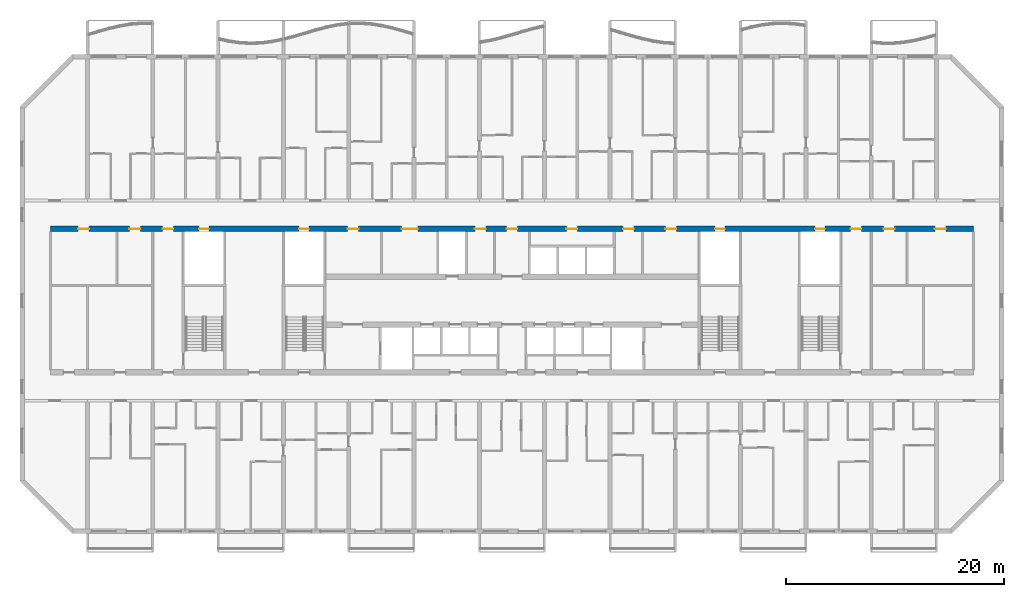
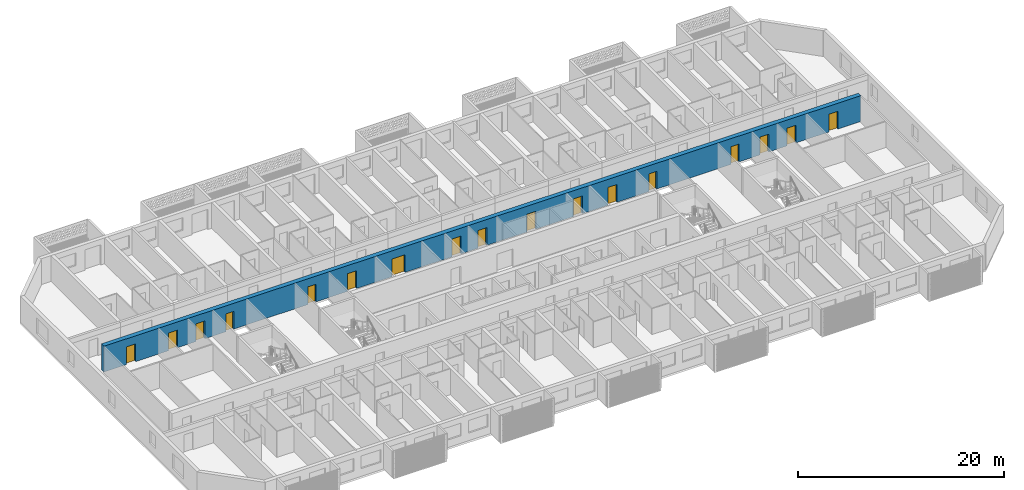
# One storey, part 8 of 25: 17 doors, 1 wall, 17 openings.
"""IFC4 building model written with IfcOpenShell, lengths in metres."""

import ifcopenshell
import ifcopenshell.guid

model = None  # the IFC model being written
_history = None  # IfcOwnerHistory: only IFC2X3 demands one
_inside = {}  # id of a spatial element -> (the spatial element, [elements in it])
_under = {}  # id of a project, library or spatial element -> (it, [spatial elements below it])
_declared = {}  # id of a project -> (the project, [libraries it declares])
_typed = {}  # id of a type object -> (the type object, [elements of that type])
_made_of = {}  # id of a material, layer set ... -> (it, [elements and type objects made of it])


def new_model(schema):
    """Start an empty IFC model of exactly this schema.

    Asked for "IFC4X3", IfcOpenShell would pick the latest addendum, in which some entities
    have other attributes; the version numbers below select the first issue.
    IFC2X3 requires an IfcOwnerHistory on every rooted entity: one is made here for all.
    """
    global model, _history
    if schema == "IFC4X3":
        model = ifcopenshell.file(schema_version=(4, 3, 0, 0))
    else:
        model = ifcopenshell.file(schema=schema)
    _inside.clear()
    _under.clear()
    _declared.clear()
    _typed.clear()
    _made_of.clear()
    _history = None
    if model.schema == "IFC2X3":
        org = make("IfcOrganization", Name="unknown")
        user = make(
            "IfcPersonAndOrganization",
            ThePerson=make("IfcPerson", FamilyName="unknown"),
            TheOrganization=org,
        )
        app = make(
            "IfcApplication",
            ApplicationDeveloper=org,
            Version="unknown",
            ApplicationFullName="unknown",
            ApplicationIdentifier="unknown",
        )
        _history = make(
            "IfcOwnerHistory",
            OwningUser=user,
            OwningApplication=app,
            ChangeAction="ADDED",
            CreationDate=0,
        )
    return model


def make(cls, **values):
    """One entity of the class cls with the attributes given. An attribute that is None is left unset."""
    return model.create_entity(
        cls, **{name: value for name, value in values.items() if value is not None}
    )


def rooted(cls, **values):
    """An entity with a GlobalId (a new one), such as an element, a storey or a relation."""
    return make(cls, GlobalId=ifcopenshell.guid.new(), OwnerHistory=_history, **values)


def si_unit(unit_type, name, prefix=None):
    """IfcSIUnit, for example si_unit("LENGTHUNIT", "METRE", prefix="MILLI")."""
    return make("IfcSIUnit", UnitType=unit_type, Prefix=prefix, Name=name)


def assignment(units):
    """IfcUnitAssignment: the units of a project."""
    return None if units is None else make("IfcUnitAssignment", Units=units)


def point(xyz):
    """IfcCartesianPoint."""
    return None if xyz is None else make("IfcCartesianPoint", Coordinates=xyz)


def direction(xyz):
    """IfcDirection."""
    return None if xyz is None else make("IfcDirection", DirectionRatios=xyz)


def frame(location, z_axis=None, x_axis=None):
    """IfcAxis2Placement3D, a coordinate frame: its origin and axes. An axis left out is left unset."""
    return make(
        "IfcAxis2Placement3D",
        Location=point(location),
        Axis=direction(z_axis),
        RefDirection=direction(x_axis),
    )


def frame_2d(location, x_axis=None):
    """IfcAxis2Placement2D, a coordinate frame in the plane: its origin and x axis."""
    return make(
        "IfcAxis2Placement2D", Location=point(location), RefDirection=direction(x_axis)
    )


def origin():
    """The frame at (0, 0, 0) with its axes left unset."""
    return frame((0.0, 0.0, 0.0))


def place(relative_to, where):
    """IfcLocalPlacement: puts the frame where relative to a parent placement (None: the world)."""
    return make(
        "IfcLocalPlacement", PlacementRelTo=relative_to, RelativePlacement=where
    )


def context(
    kind, dimensions, precision=None, world=None, true_north=None, identifier=None
):
    """IfcGeometricRepresentationContext, for example the 3D "Model" context."""
    return make(
        "IfcGeometricRepresentationContext",
        ContextIdentifier=identifier,
        ContextType=kind,
        CoordinateSpaceDimension=dimensions,
        Precision=precision,
        WorldCoordinateSystem=world,
        TrueNorth=true_north,
    )


def subcontext(parent, identifier, kind, view, scale=None):
    """IfcGeometricRepresentationSubContext, for example "Body" below "Model"."""
    return make(
        "IfcGeometricRepresentationSubContext",
        ContextIdentifier=identifier,
        ContextType=kind,
        ParentContext=parent,
        TargetScale=scale,
        TargetView=view,
    )


def project(units=None, contexts=None):
    """IfcProject with its units and contexts."""
    return rooted(
        "IfcProject",
        Name="project",
        RepresentationContexts=contexts,
        UnitsInContext=assignment(units),
    )


def spatial(cls, under=None, at=None, **own):
    """A site, building, storey or space (cls), placed at a placement, below another one or the project."""
    s = rooted(cls, ObjectPlacement=at, **own)
    if under is not None:
        _under.setdefault(under.id(), (under, []))[1].append(s)
    return s


def profile(cls, at=None, kind="AREA", **sizes):
    """A parametric profile (cls). Its sizes go by their IFC names, for example OverallWidth=200.0."""
    return make(cls, ProfileType=kind, Position=at, **sizes)


def rectangle(**sizes):
    """IfcRectangleProfileDef."""
    return profile("IfcRectangleProfileDef", **sizes)


def extrude(swept, where, along, depth):
    """IfcExtrudedAreaSolid: the profile swept, set in the frame where, extruded along a direction by depth."""
    return make(
        "IfcExtrudedAreaSolid",
        SweptArea=swept,
        Position=where,
        ExtrudedDirection=direction(along),
        Depth=depth,
    )


def shape(context_of_items, identifier, shape_type, items):
    """IfcShapeRepresentation: the items that make up one representation, for example the "Body"."""
    return make(
        "IfcShapeRepresentation",
        ContextOfItems=context_of_items,
        RepresentationIdentifier=identifier,
        RepresentationType=shape_type,
        Items=items,
    )


def material(Name=None, Category=None):
    """IfcMaterial."""
    return make("IfcMaterial", Name=Name, Category=Category)


def layer(
    of_material, thickness, ventilated=None, Name=None, Category=None, Priority=None
):
    """IfcMaterialLayer: one layer of a wall or slab, of a material (None: an air gap)."""
    return make(
        "IfcMaterialLayer",
        Material=of_material,
        LayerThickness=thickness,
        IsVentilated=ventilated,
        Name=Name,
        Category=Category,
        Priority=Priority,
    )


def layer_set(layers, Name=None):
    """IfcMaterialLayerSet."""
    return make("IfcMaterialLayerSet", MaterialLayers=layers, LayerSetName=Name)


def made_of(thing, what):
    """Note that an element or type object is made of a material, layer set ...; save() writes the relation."""
    if what is not None:
        _made_of.setdefault(what.id(), (what, []))[1].append(thing)
    return thing


def type_object(cls, material=None, **own):
    """A type object (cls), such as IfcWallType, which elements share."""
    return made_of(rooted(cls, **own), material)


def element(
    cls,
    number,
    at=None,
    inside=None,
    cuts=None,
    type_object=None,
    material=None,
    context=None,
    identifier="Body",
    shape_type=None,
    held_by="IfcProductDefinitionShape",
    body=None,
    shapes=None,
    **own,
):
    """One element of the class cls, such as IfcWall. Its Tag is "e" and its number.

    at: its placement. inside: the storey or other place that contains it. cuts: it is an
    opening in that element (IfcRelVoidsElement). A single representation is given by context,
    identifier, shape_type and body (its items); several are given by shapes. held_by: the class
    of the entity that holds the representations. save() writes the other relations.
    """
    e = rooted(cls, Tag="e%d" % number, ObjectPlacement=at, **own)
    if body is not None:
        shapes = [shape(context, identifier, shape_type, body)]
    if shapes is not None:
        e.Representation = make(held_by, Representations=shapes)
    if inside is not None:
        _inside.setdefault(inside.id(), (inside, []))[1].append(e)
    if cuts is not None:
        rooted(
            "IfcRelVoidsElement", RelatingBuildingElement=cuts, RelatedOpeningElement=e
        )
    if type_object is not None:
        _typed.setdefault(type_object.id(), (type_object, []))[1].append(e)
    return made_of(e, material)


def fill(opening, filler):
    """IfcRelFillsElement: the door or window that sits in an opening."""
    return rooted(
        "IfcRelFillsElement",
        RelatingOpeningElement=opening,
        RelatedBuildingElement=filler,
    )


def aggregate(whole, parts):
    """IfcRelAggregates: a whole, such as a stair, and the parts it consists of."""
    return rooted("IfcRelAggregates", RelatingObject=whole, RelatedObjects=parts)


def save(model, path):
    """Write the relations noted so far, then the file.

    IfcRelAggregates (storeys below a building ...), IfcRelContainedInSpatialStructure (elements
    in a storey), IfcRelDefinesByType, IfcRelAssociatesMaterial and IfcRelDeclares: one each for
    every whole, place, type object, material and project.
    """
    for whole, parts in _under.values():
        aggregate(whole, parts)
    for where, things in _inside.values():
        rooted(
            "IfcRelContainedInSpatialStructure",
            RelatedElements=things,
            RelatingStructure=where,
        )
    for kind, things in _typed.values():
        rooted("IfcRelDefinesByType", RelatedObjects=things, RelatingType=kind)
    for what, things in _made_of.values():
        rooted("IfcRelAssociatesMaterial", RelatedObjects=things, RelatingMaterial=what)
    for by, libraries in _declared.values():
        rooted("IfcRelDeclares", RelatingContext=by, RelatedDefinitions=libraries)
    model.write(path)


model = new_model("IFC4")

# Units and contexts
model_context = context("Model", 3, precision=1e-05, world=origin(), true_north=direction((0.0, 1.0)))
body_context = subcontext(model_context, "Body", "Model", "MODEL_VIEW")
ifc_project = project(units=[si_unit("LENGTHUNIT", "METRE"), si_unit("AREAUNIT", "SQUARE_METRE"), si_unit("VOLUMEUNIT", "CUBIC_METRE"), si_unit("PLANEANGLEUNIT", "RADIAN"), si_unit("MASSUNIT", "GRAM", prefix="KILO")], contexts=[model_context])

# Site, building, storey
site_placement = place(None, origin())
site = spatial("IfcSite", under=ifc_project, at=site_placement, CompositionType="ELEMENT")
building_placement = place(site_placement, origin())
building = spatial("IfcBuilding", under=site, at=building_placement, Name="Poui Terraces", CompositionType="ELEMENT")
storey_placement = place(building_placement, frame((0.0, 0.0, 89.39990234375)))
storey = spatial("IfcBuildingStorey", under=building, at=storey_placement, Name="L24", CompositionType="ELEMENT", Elevation=89.39990234375)

# Wall, openings, doors
ifc_material_1 = material(Name="Concrete 65 MPa", Category="concrete")
ifc_layer = layer(ifc_material_1, 0.5)
ifc_layer_set = layer_set([ifc_layer], Name="Concrete 65 MPa")
wall_type = type_object("IfcWallType", Name="SPINE WALL 500 65 MPA", PredefinedType="SOLIDWALL", material=ifc_layer_set)
wall_placement = place(storey_placement, frame((8.60009765625, 27.800048828125, 0.0), z_axis=(0.0, 0.0, 1.0), x_axis=(1.0, 0.0, 0.0)))
wall = element("IfcWall", 1, at=wall_placement, inside=storey, type_object=wall_type, Name="SPINE WALL", PredefinedType="SOLIDWALL", context=body_context, shape_type="SweptSolid", body=[
    extrude(rectangle(XDim=84.7998046875, YDim=0.5, at=frame_2d((42.39990234375, 0.0))), origin(), (0.0, 0.0, 1.0), 3.06005859375),
])
opening_1_placement = place(wall_placement, frame((2.550048828125, 0.0, 0.0)))
opening_1 = element("IfcOpeningElement", 2, at=opening_1_placement, cuts=wall, Name="Opening FD60", PredefinedType="OPENING", context=body_context, shape_type="SweptSolid", body=[
    extrude(rectangle(XDim=1.0, YDim=2.10009765625, at=frame_2d((0.5, 1.050048828125))), frame((0.0, 0.260009765625, 0.0), z_axis=(0.0, -1.0, 0.0), x_axis=(1.0, 0.0, 0.0)), (0.0, 0.0, 1.0), 0.52001953125),
])
opening_2_placement = place(wall_placement, frame((7.25, 0.0, 0.0)))
opening_2 = element("IfcOpeningElement", 3, at=opening_2_placement, cuts=wall, Name="Opening FD60", PredefinedType="OPENING", context=body_context, shape_type="SweptSolid", body=[
    extrude(rectangle(XDim=1.0, YDim=2.10009765625, at=frame_2d((0.5, 1.050048828125))), frame((0.0, 0.260009765625, 0.0), z_axis=(0.0, -1.0, 0.0), x_axis=(1.0, 0.0, 0.0)), (0.0, 0.0, 1.0), 0.52001953125),
])
opening_3_placement = place(wall_placement, frame((10.300048828125, 0.0, 0.0)))
opening_3 = element("IfcOpeningElement", 4, at=opening_3_placement, cuts=wall, Name="Opening FDL", PredefinedType="OPENING", context=body_context, shape_type="SweptSolid", body=[
    extrude(rectangle(XDim=1.0, YDim=2.10009765625, at=frame_2d((0.5, 1.050048828125))), frame((0.0, 0.260009765625, 0.0), z_axis=(0.0, -1.0, 0.0), x_axis=(1.0, 0.0, 0.0)), (0.0, 0.0, 1.0), 0.52001953125),
])
opening_4_placement = place(wall_placement, frame((13.64990234375, 0.0, 0.0)))
opening_4 = element("IfcOpeningElement", 5, at=opening_4_placement, cuts=wall, Name="Opening FDR", PredefinedType="OPENING", context=body_context, shape_type="SweptSolid", body=[
    extrude(rectangle(XDim=0.89990234375, YDim=2.10009765625, at=frame_2d((0.449951171875, 1.050048828125))), frame((0.0, 0.260009765625, 0.0), z_axis=(0.0, -1.0, 0.0), x_axis=(1.0, 0.0, 0.0)), (0.0, 0.0, 1.0), 0.52001953125),
])
opening_5_placement = place(wall_placement, frame((22.85009765625, 0.0, 0.0)))
opening_5 = element("IfcOpeningElement", 6, at=opening_5_placement, cuts=wall, Name="Opening FDR", PredefinedType="OPENING", context=body_context, shape_type="SweptSolid", body=[
    extrude(rectangle(XDim=0.89990234375, YDim=2.10009765625, at=frame_2d((0.449951171875, 1.050048828125))), frame((0.0, 0.260009765625, 0.0), z_axis=(0.0, -1.0, 0.0), x_axis=(1.0, 0.0, 0.0)), (0.0, 0.0, 1.0), 0.52001953125),
])
opening_6_placement = place(wall_placement, frame((27.300048828125, 0.0, 0.0)))
opening_6 = element("IfcOpeningElement", 7, at=opening_6_placement, cuts=wall, Name="Opening FD60", PredefinedType="OPENING", context=body_context, shape_type="SweptSolid", body=[
    extrude(rectangle(XDim=1.0, YDim=2.10009765625, at=frame_2d((0.5, 1.050048828125))), frame((0.0, 0.260009765625, 0.0), z_axis=(0.0, -1.0, 0.0), x_axis=(1.0, 0.0, 0.0)), (0.0, 0.0, 1.0), 0.52001953125),
])
opening_7_placement = place(wall_placement, frame((32.25, 0.0, 0.0)))
opening_7 = element("IfcOpeningElement", 8, at=opening_7_placement, cuts=wall, Name="Opening FDP", PredefinedType="OPENING", context=body_context, shape_type="SweptSolid", body=[
    extrude(rectangle(XDim=1.5, YDim=2.10009765625, at=frame_2d((0.75, 1.050048828125))), frame((0.0, 0.260009765625, 0.0), z_axis=(0.0, -1.0, 0.0), x_axis=(1.0, 0.0, 0.0)), (0.0, 0.0, 1.0), 0.52001953125),
])
opening_8_placement = place(wall_placement, frame((39.0, 0.0, 0.0)))
opening_8 = element("IfcOpeningElement", 9, at=opening_8_placement, cuts=wall, Name="Opening FD60", PredefinedType="OPENING", context=body_context, shape_type="SweptSolid", body=[
    extrude(rectangle(XDim=1.0, YDim=2.10009765625, at=frame_2d((0.5, 1.050048828125))), frame((0.0, 0.260009765625, 0.0), z_axis=(0.0, -1.0, 0.0), x_axis=(1.0, 0.0, 0.0)), (0.0, 0.0, 1.0), 0.52001953125),
])
opening_9_placement = place(wall_placement, frame((41.89990234375, 0.0, 0.0)))
opening_9 = element("IfcOpeningElement", 10, at=opening_9_placement, cuts=wall, Name="Opening FDL", PredefinedType="OPENING", context=body_context, shape_type="SweptSolid", body=[
    extrude(rectangle(XDim=1.0, YDim=2.10009765625, at=frame_2d((0.5, 1.050048828125))), frame((0.0, 0.260009765625, 0.0), z_axis=(0.0, -1.0, 0.0), x_axis=(1.0, 0.0, 0.0)), (0.0, 0.0, 1.0), 0.52001953125),
])
opening_10_placement = place(wall_placement, frame((47.39990234375, 0.0, 0.0)))
opening_10 = element("IfcOpeningElement", 11, at=opening_10_placement, cuts=wall, Name="Opening FD60", PredefinedType="OPENING", context=body_context, shape_type="SweptSolid", body=[
    extrude(rectangle(XDim=1.0, YDim=2.10009765625, at=frame_2d((0.5, 1.050048828125))), frame((0.0, 0.260009765625, 0.0), z_axis=(0.0, -1.0, 0.0), x_axis=(1.0, 0.0, 0.0)), (0.0, 0.0, 1.0), 0.52001953125),
])
opening_11_placement = place(wall_placement, frame((52.60009765625, 0.0, 0.0)))
opening_11 = element("IfcOpeningElement", 12, at=opening_11_placement, cuts=wall, Name="Opening FD60", PredefinedType="OPENING", context=body_context, shape_type="SweptSolid", body=[
    extrude(rectangle(XDim=1.0, YDim=2.10009765625, at=frame_2d((0.5, 1.050048828125))), frame((0.0, 0.260009765625, 0.0), z_axis=(0.0, -1.0, 0.0), x_axis=(1.0, 0.0, 0.0)), (0.0, 0.0, 1.0), 0.52001953125),
])
opening_12_placement = place(wall_placement, frame((56.5, 0.0, 0.0)))
opening_12 = element("IfcOpeningElement", 13, at=opening_12_placement, cuts=wall, Name="Opening FD60", PredefinedType="OPENING", context=body_context, shape_type="SweptSolid", body=[
    extrude(rectangle(XDim=1.0, YDim=2.10009765625, at=frame_2d((0.5, 1.050048828125))), frame((0.0, 0.260009765625, 0.0), z_axis=(0.0, -1.0, 0.0), x_axis=(1.0, 0.0, 0.0)), (0.0, 0.0, 1.0), 0.52001953125),
])
opening_13_placement = place(wall_placement, frame((61.050048828125, 0.0, 0.0)))
opening_13 = element("IfcOpeningElement", 14, at=opening_13_placement, cuts=wall, Name="Opening FDR", PredefinedType="OPENING", context=body_context, shape_type="SweptSolid", body=[
    extrude(rectangle(XDim=0.89990234375, YDim=2.10009765625, at=frame_2d((0.449951171875, 1.050048828125))), frame((0.0, 0.260009765625, 0.0), z_axis=(0.0, -1.0, 0.0), x_axis=(1.0, 0.0, 0.0)), (0.0, 0.0, 1.0), 0.52001953125),
])
opening_14_placement = place(wall_placement, frame((70.25, 0.0, 0.0)))
opening_14 = element("IfcOpeningElement", 15, at=opening_14_placement, cuts=wall, Name="Opening FDR", PredefinedType="OPENING", context=body_context, shape_type="SweptSolid", body=[
    extrude(rectangle(XDim=0.89990234375, YDim=2.10009765625, at=frame_2d((0.449951171875, 1.050048828125))), frame((0.0, 0.260009765625, 0.0), z_axis=(0.0, -1.0, 0.0), x_axis=(1.0, 0.0, 0.0)), (0.0, 0.0, 1.0), 0.52001953125),
])
opening_15_placement = place(wall_placement, frame((73.5, 0.0, 0.0)))
opening_15 = element("IfcOpeningElement", 16, at=opening_15_placement, cuts=wall, Name="Opening FDL", PredefinedType="OPENING", context=body_context, shape_type="SweptSolid", body=[
    extrude(rectangle(XDim=1.0, YDim=2.10009765625, at=frame_2d((0.5, 1.050048828125))), frame((0.0, 0.260009765625, 0.0), z_axis=(0.0, -1.0, 0.0), x_axis=(1.0, 0.0, 0.0)), (0.0, 0.0, 1.0), 0.52001953125),
])
opening_16_placement = place(wall_placement, frame((76.550048828125, 0.0, 0.0)))
opening_16 = element("IfcOpeningElement", 17, at=opening_16_placement, cuts=wall, Name="Opening FD60", PredefinedType="OPENING", context=body_context, shape_type="SweptSolid", body=[
    extrude(rectangle(XDim=1.0, YDim=2.10009765625, at=frame_2d((0.5, 1.050048828125))), frame((0.0, 0.260009765625, 0.0), z_axis=(0.0, -1.0, 0.0), x_axis=(1.0, 0.0, 0.0)), (0.0, 0.0, 1.0), 0.52001953125),
])
opening_17_placement = place(wall_placement, frame((81.25, 0.0, 0.0)))
opening_17 = element("IfcOpeningElement", 18, at=opening_17_placement, cuts=wall, Name="Opening FD60", PredefinedType="OPENING", context=body_context, shape_type="SweptSolid", body=[
    extrude(rectangle(XDim=1.0, YDim=2.10009765625, at=frame_2d((0.5, 1.050048828125))), frame((0.0, 0.260009765625, 0.0), z_axis=(0.0, -1.0, 0.0), x_axis=(1.0, 0.0, 0.0)), (0.0, 0.0, 1.0), 0.52001953125),
])
ifc_material_2 = material(Name="Steel fire door", Category="steel")
door_type_1 = type_object("IfcDoorType", Name="LOBBY FIRE DOOR 1000 X 2100", OperationType="NOTDEFINED", PredefinedType="DOOR", material=ifc_material_2)
door_1_placement = place(opening_3_placement, origin())
door_1 = element("IfcDoor", 19, at=door_1_placement, inside=storey, type_object=door_type_1, Name="LOBBY FIRE DOOR 003", OperationType="SINGLE_SWING_LEFT", OverallHeight=2.10009765625, OverallWidth=1.0, PredefinedType="DOOR", context=body_context, shape_type="SweptSolid", body=[
    extrude(rectangle(XDim=1.0, YDim=2.10009765625, at=frame_2d((0.5, 1.050048828125))), frame((0.0, 0.02490234375, 0.0), z_axis=(0.0, -1.0, 0.0), x_axis=(1.0, 0.0, 0.0)), (0.0, 0.0, 1.0), 0.050048828125),
])
fill(opening_3, door_1)
door_2_placement = place(opening_9_placement, origin())
door_2 = element("IfcDoor", 20, at=door_2_placement, inside=storey, type_object=door_type_1, Name="LOBBY FIRE DOOR 009", OperationType="SINGLE_SWING_RIGHT", OverallHeight=2.10009765625, OverallWidth=1.0, PredefinedType="DOOR", context=body_context, shape_type="SweptSolid", body=[
    extrude(rectangle(XDim=1.0, YDim=2.10009765625, at=frame_2d((0.5, 1.050048828125))), frame((0.0, 0.02490234375, 0.0), z_axis=(0.0, -1.0, 0.0), x_axis=(1.0, 0.0, 0.0)), (0.0, 0.0, 1.0), 0.050048828125),
])
fill(opening_9, door_2)
door_3_placement = place(opening_15_placement, origin())
door_3 = element("IfcDoor", 21, at=door_3_placement, inside=storey, type_object=door_type_1, Name="LOBBY FIRE DOOR 015", OperationType="SINGLE_SWING_RIGHT", OverallHeight=2.10009765625, OverallWidth=1.0, PredefinedType="DOOR", context=body_context, shape_type="SweptSolid", body=[
    extrude(rectangle(XDim=1.0, YDim=2.10009765625, at=frame_2d((0.5, 1.050048828125))), frame((0.0, 0.02490234375, 0.0), z_axis=(0.0, -1.0, 0.0), x_axis=(1.0, 0.0, 0.0)), (0.0, 0.0, 1.0), 0.050048828125),
])
fill(opening_15, door_3)
door_type_2 = type_object("IfcDoorType", Name="PLANT ROOM DOOR PAIR 1500 X 2100", OperationType="DOUBLE_DOOR_SINGLE_SWING", PredefinedType="DOOR", material=ifc_material_2)
door_4_placement = place(opening_7_placement, origin())
door_4 = element("IfcDoor", 22, at=door_4_placement, inside=storey, type_object=door_type_2, Name="PLANT ROOM DOOR PAIR 007", OperationType="DOUBLE_DOOR_SINGLE_SWING", OverallHeight=2.10009765625, OverallWidth=1.5, PredefinedType="DOOR", context=body_context, shape_type="SweptSolid", body=[
    extrude(rectangle(XDim=1.5, YDim=2.10009765625, at=frame_2d((0.75, 1.050048828125))), frame((0.0, 0.02490234375, 0.0), z_axis=(0.0, -1.0, 0.0), x_axis=(1.0, 0.0, 0.0)), (0.0, 0.0, 1.0), 0.050048828125),
])
fill(opening_7, door_4)
door_type_3 = type_object("IfcDoorType", Name="RISER CUPBOARD DOOR 900 X 2100", OperationType="NOTDEFINED", PredefinedType="DOOR", material=ifc_material_2)
door_5_placement = place(opening_4_placement, origin())
door_5 = element("IfcDoor", 23, at=door_5_placement, inside=storey, type_object=door_type_3, Name="RISER CUPBOARD DOOR 004", OperationType="SINGLE_SWING_LEFT", OverallHeight=2.10009765625, OverallWidth=0.89990234375, PredefinedType="DOOR", context=body_context, shape_type="SweptSolid", body=[
    extrude(rectangle(XDim=0.89990234375, YDim=2.10009765625, at=frame_2d((0.449951171875, 1.050048828125))), frame((0.0, 0.02490234375, 0.0), z_axis=(0.0, -1.0, 0.0), x_axis=(1.0, 0.0, 0.0)), (0.0, 0.0, 1.0), 0.050048828125),
])
fill(opening_4, door_5)
door_6_placement = place(opening_5_placement, origin())
door_6 = element("IfcDoor", 24, at=door_6_placement, inside=storey, type_object=door_type_3, Name="RISER CUPBOARD DOOR 005", OperationType="SINGLE_SWING_LEFT", OverallHeight=2.10009765625, OverallWidth=0.89990234375, PredefinedType="DOOR", context=body_context, shape_type="SweptSolid", body=[
    extrude(rectangle(XDim=0.89990234375, YDim=2.10009765625, at=frame_2d((0.449951171875, 1.050048828125))), frame((0.0, 0.02490234375, 0.0), z_axis=(0.0, -1.0, 0.0), x_axis=(1.0, 0.0, 0.0)), (0.0, 0.0, 1.0), 0.050048828125),
])
fill(opening_5, door_6)
door_7_placement = place(opening_13_placement, origin())
door_7 = element("IfcDoor", 25, at=door_7_placement, inside=storey, type_object=door_type_3, Name="RISER CUPBOARD DOOR 013", OperationType="SINGLE_SWING_RIGHT", OverallHeight=2.10009765625, OverallWidth=0.89990234375, PredefinedType="DOOR", context=body_context, shape_type="SweptSolid", body=[
    extrude(rectangle(XDim=0.89990234375, YDim=2.10009765625, at=frame_2d((0.449951171875, 1.050048828125))), frame((0.0, 0.02490234375, 0.0), z_axis=(0.0, -1.0, 0.0), x_axis=(1.0, 0.0, 0.0)), (0.0, 0.0, 1.0), 0.050048828125),
])
fill(opening_13, door_7)
door_8_placement = place(opening_14_placement, origin())
door_8 = element("IfcDoor", 26, at=door_8_placement, inside=storey, type_object=door_type_3, Name="RISER CUPBOARD DOOR 014", OperationType="SINGLE_SWING_RIGHT", OverallHeight=2.10009765625, OverallWidth=0.89990234375, PredefinedType="DOOR", context=body_context, shape_type="SweptSolid", body=[
    extrude(rectangle(XDim=0.89990234375, YDim=2.10009765625, at=frame_2d((0.449951171875, 1.050048828125))), frame((0.0, 0.02490234375, 0.0), z_axis=(0.0, -1.0, 0.0), x_axis=(1.0, 0.0, 0.0)), (0.0, 0.0, 1.0), 0.050048828125),
])
fill(opening_14, door_8)
door_type_4 = type_object("IfcDoorType", Name="SERVICE ROOM FIRE DOOR 1000 X 2100", OperationType="NOTDEFINED", PredefinedType="DOOR", material=ifc_material_2)
door_9_placement = place(opening_1_placement, origin())
door_9 = element("IfcDoor", 27, at=door_9_placement, inside=storey, type_object=door_type_4, Name="SERVICE ROOM FIRE DOOR 001", OperationType="SINGLE_SWING_RIGHT", OverallHeight=2.10009765625, OverallWidth=1.0, PredefinedType="DOOR", context=body_context, shape_type="SweptSolid", body=[
    extrude(rectangle(XDim=1.0, YDim=2.10009765625, at=frame_2d((0.5, 1.050048828125))), frame((0.0, 0.02490234375, 0.0), z_axis=(0.0, -1.0, 0.0), x_axis=(1.0, 0.0, 0.0)), (0.0, 0.0, 1.0), 0.050048828125),
])
fill(opening_1, door_9)
door_10_placement = place(opening_2_placement, origin())
door_10 = element("IfcDoor", 28, at=door_10_placement, inside=storey, type_object=door_type_4, Name="SERVICE ROOM FIRE DOOR 002", OperationType="SINGLE_SWING_LEFT", OverallHeight=2.10009765625, OverallWidth=1.0, PredefinedType="DOOR", context=body_context, shape_type="SweptSolid", body=[
    extrude(rectangle(XDim=1.0, YDim=2.10009765625, at=frame_2d((0.5, 1.050048828125))), frame((0.0, 0.02490234375, 0.0), z_axis=(0.0, -1.0, 0.0), x_axis=(1.0, 0.0, 0.0)), (0.0, 0.0, 1.0), 0.050048828125),
])
fill(opening_2, door_10)
door_11_placement = place(opening_6_placement, origin())
door_11 = element("IfcDoor", 29, at=door_11_placement, inside=storey, type_object=door_type_4, Name="SERVICE ROOM FIRE DOOR 006", OperationType="SINGLE_SWING_RIGHT", OverallHeight=2.10009765625, OverallWidth=1.0, PredefinedType="DOOR", context=body_context, shape_type="SweptSolid", body=[
    extrude(rectangle(XDim=1.0, YDim=2.10009765625, at=frame_2d((0.5, 1.050048828125))), frame((0.0, 0.02490234375, 0.0), z_axis=(0.0, -1.0, 0.0), x_axis=(1.0, 0.0, 0.0)), (0.0, 0.0, 1.0), 0.050048828125),
])
fill(opening_6, door_11)
door_12_placement = place(opening_8_placement, origin())
door_12 = element("IfcDoor", 30, at=door_12_placement, inside=storey, type_object=door_type_4, Name="SERVICE ROOM FIRE DOOR 008", OperationType="SINGLE_SWING_RIGHT", OverallHeight=2.10009765625, OverallWidth=1.0, PredefinedType="DOOR", context=body_context, shape_type="SweptSolid", body=[
    extrude(rectangle(XDim=1.0, YDim=2.10009765625, at=frame_2d((0.5, 1.050048828125))), frame((0.0, 0.02490234375, 0.0), z_axis=(0.0, -1.0, 0.0), x_axis=(1.0, 0.0, 0.0)), (0.0, 0.0, 1.0), 0.050048828125),
])
fill(opening_8, door_12)
door_13_placement = place(opening_10_placement, origin())
door_13 = element("IfcDoor", 31, at=door_13_placement, inside=storey, type_object=door_type_4, Name="SERVICE ROOM FIRE DOOR 010", OperationType="SINGLE_SWING_LEFT", OverallHeight=2.10009765625, OverallWidth=1.0, PredefinedType="DOOR", context=body_context, shape_type="SweptSolid", body=[
    extrude(rectangle(XDim=1.0, YDim=2.10009765625, at=frame_2d((0.5, 1.050048828125))), frame((0.0, 0.02490234375, 0.0), z_axis=(0.0, -1.0, 0.0), x_axis=(1.0, 0.0, 0.0)), (0.0, 0.0, 1.0), 0.050048828125),
])
fill(opening_10, door_13)
door_14_placement = place(opening_11_placement, origin())
door_14 = element("IfcDoor", 32, at=door_14_placement, inside=storey, type_object=door_type_4, Name="SERVICE ROOM FIRE DOOR 011", OperationType="SINGLE_SWING_RIGHT", OverallHeight=2.10009765625, OverallWidth=1.0, PredefinedType="DOOR", context=body_context, shape_type="SweptSolid", body=[
    extrude(rectangle(XDim=1.0, YDim=2.10009765625, at=frame_2d((0.5, 1.050048828125))), frame((0.0, 0.02490234375, 0.0), z_axis=(0.0, -1.0, 0.0), x_axis=(1.0, 0.0, 0.0)), (0.0, 0.0, 1.0), 0.050048828125),
])
fill(opening_11, door_14)
door_15_placement = place(opening_12_placement, origin())
door_15 = element("IfcDoor", 33, at=door_15_placement, inside=storey, type_object=door_type_4, Name="SERVICE ROOM FIRE DOOR 012", OperationType="SINGLE_SWING_LEFT", OverallHeight=2.10009765625, OverallWidth=1.0, PredefinedType="DOOR", context=body_context, shape_type="SweptSolid", body=[
    extrude(rectangle(XDim=1.0, YDim=2.10009765625, at=frame_2d((0.5, 1.050048828125))), frame((0.0, 0.02490234375, 0.0), z_axis=(0.0, -1.0, 0.0), x_axis=(1.0, 0.0, 0.0)), (0.0, 0.0, 1.0), 0.050048828125),
])
fill(opening_12, door_15)
door_16_placement = place(opening_16_placement, origin())
door_16 = element("IfcDoor", 34, at=door_16_placement, inside=storey, type_object=door_type_4, Name="SERVICE ROOM FIRE DOOR 016", OperationType="SINGLE_SWING_RIGHT", OverallHeight=2.10009765625, OverallWidth=1.0, PredefinedType="DOOR", context=body_context, shape_type="SweptSolid", body=[
    extrude(rectangle(XDim=1.0, YDim=2.10009765625, at=frame_2d((0.5, 1.050048828125))), frame((0.0, 0.02490234375, 0.0), z_axis=(0.0, -1.0, 0.0), x_axis=(1.0, 0.0, 0.0)), (0.0, 0.0, 1.0), 0.050048828125),
])
fill(opening_16, door_16)
door_17_placement = place(opening_17_placement, origin())
door_17 = element("IfcDoor", 35, at=door_17_placement, inside=storey, type_object=door_type_4, Name="SERVICE ROOM FIRE DOOR 017", OperationType="SINGLE_SWING_LEFT", OverallHeight=2.10009765625, OverallWidth=1.0, PredefinedType="DOOR", context=body_context, shape_type="SweptSolid", body=[
    extrude(rectangle(XDim=1.0, YDim=2.10009765625, at=frame_2d((0.5, 1.050048828125))), frame((0.0, 0.02490234375, 0.0), z_axis=(0.0, -1.0, 0.0), x_axis=(1.0, 0.0, 0.0)), (0.0, 0.0, 1.0), 0.050048828125),
])
fill(opening_17, door_17)

save(model, "model.ifc")
